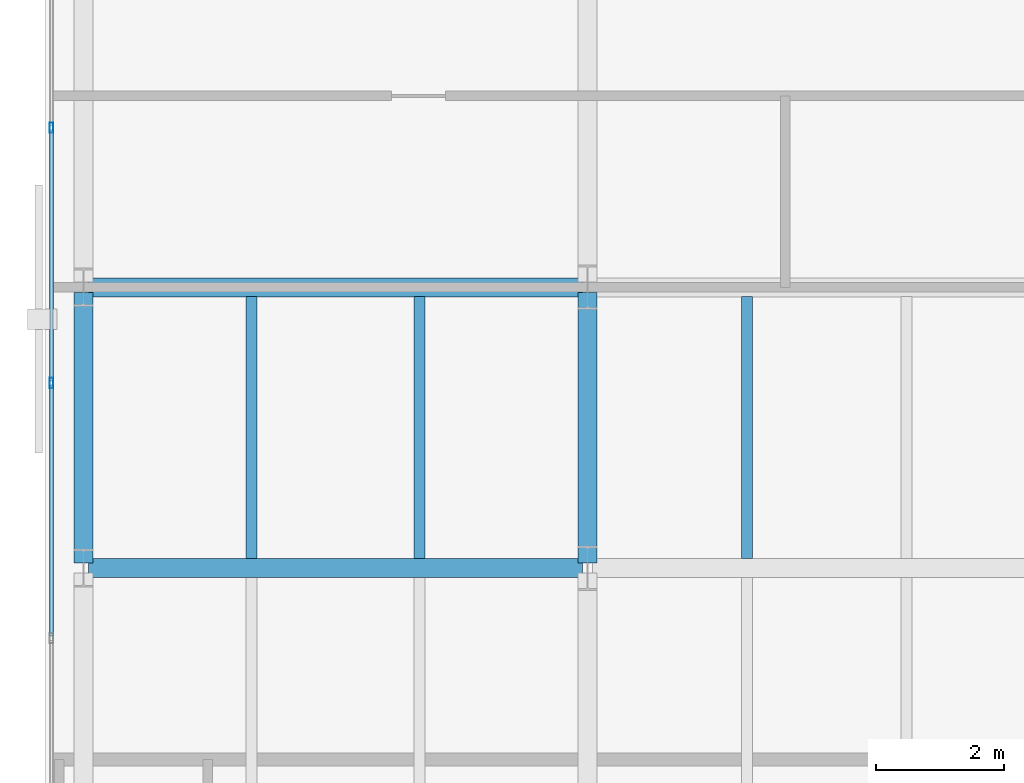
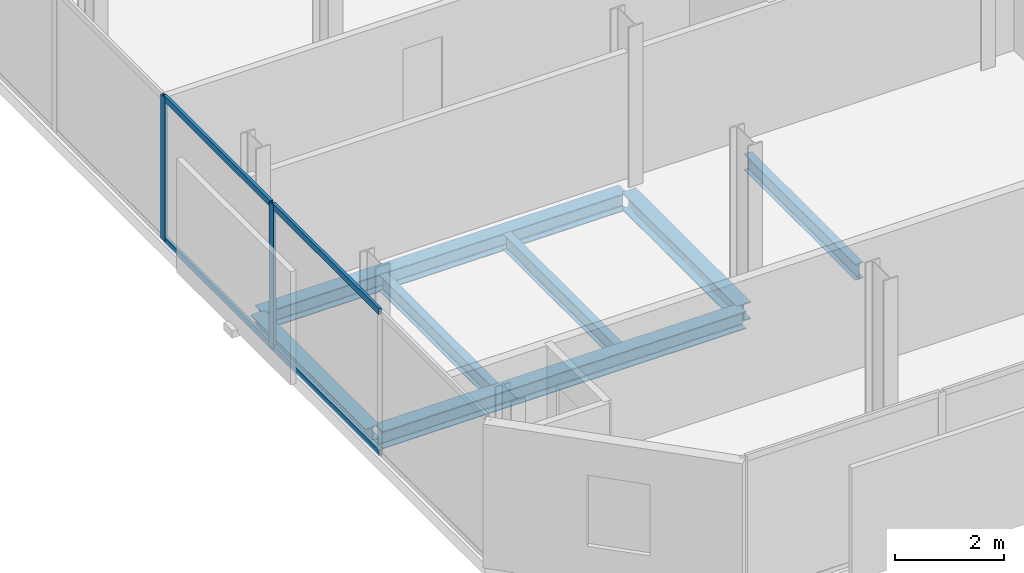
# One storey, part 5 of 32: 7 beams, 6 members, 1 element without a shape of its own.
"""IFC4 building model written with IfcOpenShell, lengths in metres."""

from ifc_helpers import new_model, si_unit, direction, frame, origin, origin_2d, place, context, subcontext, project, spatial, hollow_rectangle, i_section, extrude, material, layer, layer_set, material_profile, profile_set, type_object, element, aggregate, save


model = new_model("IFC4")

# Units and contexts
model_context = context("Model", 3, precision=1e-05, world=origin(), true_north=direction((0.0, 1.0)))
body_context = subcontext(model_context, "Body", "Model", "MODEL_VIEW")
ifc_project = project(units=[si_unit("LENGTHUNIT", "METRE"), si_unit("AREAUNIT", "SQUARE_METRE"), si_unit("VOLUMEUNIT", "CUBIC_METRE"), si_unit("PLANEANGLEUNIT", "RADIAN"), si_unit("MASSUNIT", "GRAM", prefix="KILO")], contexts=[model_context])

# Site, building, storey
site_placement = place(None, origin())
site = spatial("IfcSite", under=ifc_project, at=site_placement, CompositionType="ELEMENT")
building_placement = place(site_placement, origin())
building = spatial("IfcBuilding", under=site, at=building_placement, Name="Catumbela Crestline Tower", CompositionType="ELEMENT")
storey_placement = place(building_placement, frame((0.0, 0.0, 140.4)))
storey = spatial("IfcBuildingStorey", under=building, at=storey_placement, Name="L36", CompositionType="ELEMENT", Elevation=140.4)

# Beams
ifc_material_1 = material(Name="Structural steel S355J2", Category="steel")
ifc_material_profile_1 = material_profile(ifc_material_1, i_section(OverallWidth=0.3, OverallDepth=0.39, WebThickness=0.011, FlangeThickness=0.019, FilletRadius=0.027, at=origin_2d()), Name="HEA 400")
ifc_profile_set_1 = profile_set([ifc_material_profile_1], Name="Structural steel S355J2")
beam_type_1 = type_object("IfcBeamType", Name="BG-HEA400", PredefinedType="BEAM", material=ifc_profile_set_1)
for number, where, z_axis, x_axis, name in (
    (1, (0.68, 13.6, -0.455), (1.0, 0.0, 0.0), (0.0, 1.0, 0.0), "L36 Beam BM-L36-WEW46"),
    (2, (0.68, 18.0, -0.455), (1.0, 0.0, 0.0), (0.0, 1.0, 0.0), "L36 Beam BM-L36-WEW49"),
):
    element("IfcBeam", number, at=place(storey_placement, frame(where, z_axis=z_axis, x_axis=x_axis)), inside=storey, type_object=beam_type_1, Name=name, PredefinedType="BEAM", context=body_context, shape_type="SweptSolid", body=[
        extrude(i_section(OverallWidth=0.3, OverallDepth=0.39, WebThickness=0.011, FlangeThickness=0.019, FilletRadius=0.027, at=origin_2d()), origin(), (0.0, 0.0, 1.0), 7.74),
    ])
beam_1_placement = place(storey_placement, frame((8.5, 13.68, -0.455), z_axis=(0.0, 1.0, 0.0), x_axis=(-1.0, 0.0, 0.0)))
element("IfcBeam", 3, at=beam_1_placement, inside=storey, type_object=beam_type_1, Name="L36 Beam BM-L36-WNS56", PredefinedType="BEAM", context=body_context, shape_type="SweptSolid", body=[
    extrude(i_section(OverallWidth=0.3, OverallDepth=0.39, WebThickness=0.011, FlangeThickness=0.019, FilletRadius=0.027, at=origin_2d()), origin(), (0.0, 0.0, 1.0), 4.24),
])
ifc_material_profile_2 = material_profile(ifc_material_1, i_section(OverallWidth=0.17, OverallDepth=0.36, WebThickness=0.008, FlangeThickness=0.0127, FilletRadius=0.018, at=origin_2d()), Name="IPE 360")
ifc_profile_set_2 = profile_set([ifc_material_profile_2], Name="Structural steel S355J2")
beam_type_2 = type_object("IfcBeamType", Name="BJ-IPE360", PredefinedType="JOIST", material=ifc_profile_set_2)
for number, where, z_axis, x_axis, name in (
    (4, (3.233, 13.747, -0.44), (0.0, 1.0, 0.0), (-1.0, 0.0, 0.0), "L36 Joist JS-L36-WG69"),
    (5, (5.867, 13.747, -0.44), (0.0, 1.0, 0.0), (-1.0, 0.0, 0.0), "L36 Joist JS-L36-WG70"),
    (6, (11.0, 13.747, -0.44), (0.0, 1.0, 0.0), (-1.0, 0.0, 0.0), "L36 Joist JS-L36-WG71"),
):
    element("IfcBeam", number, at=place(storey_placement, frame(where, z_axis=z_axis, x_axis=x_axis)), inside=storey, type_object=beam_type_2, Name=name, PredefinedType="JOIST", context=body_context, shape_type="SweptSolid", body=[
        extrude(i_section(OverallWidth=0.17, OverallDepth=0.36, WebThickness=0.008, FlangeThickness=0.0127, FilletRadius=0.018, at=origin_2d()), origin(), (0.0, 0.0, 1.0), 4.106),
    ])

# Curtain wall, members
ifc_material_2 = material(Name="Aluminium alloy AW-6060-T66", Category="aluminium")
ifc_layer = layer(ifc_material_2, 0.18, Name="Aluminium alloy AW-6060-T66")
ifc_layer_set = layer_set([ifc_layer], Name="Aluminium alloy AW-6060-T66")
curtain_wall_type = type_object("IfcCurtainWallType", Name="CWU-Z2", PredefinedType="USERDEFINED", material=ifc_layer_set)
curtain_wall_placement = place(storey_placement, origin())
curtain_wall = element("IfcCurtainWall", 7, at=curtain_wall_placement, inside=storey, type_object=curtain_wall_type, Name="L36 Unitised Curtain Wall CW-L36-E9S1", ObjectType="UNITISED", PredefinedType="USERDEFINED")
ifc_material_profile_3 = material_profile(ifc_material_2, hollow_rectangle(XDim=0.06, YDim=0.16, WallThickness=0.004, at=origin_2d()), Name="ALU 160x60x4")
ifc_profile_set_3 = profile_set([ifc_material_profile_3], Name="Aluminium alloy AW-6060-T66")
member_type_1 = type_object("IfcMemberType", Name="MUL-160X60", PredefinedType="MULLION", material=ifc_profile_set_3)
member_1_placement = place(storey_placement, frame((0.1, 20.5, 0.0), z_axis=(0.0, 0.0, 1.0), x_axis=(1.0, 0.0, 0.0)))
member_1 = element("IfcMember", 8, at=member_1_placement, type_object=member_type_1, Name="CWU-Z2 mullion 7", PredefinedType="MULLION", context=body_context, shape_type="SweptSolid", body=[
    extrude(hollow_rectangle(XDim=0.06, YDim=0.16, WallThickness=0.004, at=origin_2d()), origin(), (0.0, 0.0, 1.0), 3.24),
])
member_2_placement = place(storey_placement, frame((0.1, 16.5, 0.0), z_axis=(0.0, 0.0, 1.0), x_axis=(1.0, 0.0, 0.0)))
member_2 = element("IfcMember", 9, at=member_2_placement, type_object=member_type_1, Name="CWU-Z2 mullion 8", PredefinedType="MULLION", context=body_context, shape_type="SweptSolid", body=[
    extrude(hollow_rectangle(XDim=0.06, YDim=0.16, WallThickness=0.004, at=origin_2d()), origin(), (0.0, 0.0, 1.0), 3.24),
])

# Beam
ifc_material_profile_4 = material_profile(ifc_material_1, i_section(OverallWidth=0.3, OverallDepth=0.31, WebThickness=0.009, FlangeThickness=0.0155, FilletRadius=0.027, at=origin_2d()), Name="HEA 320")
ifc_profile_set_4 = profile_set([ifc_material_profile_4], Name="Structural steel S355J2")
beam_type_3 = type_object("IfcBeamType", Name="BS-HEA320", PredefinedType="SPANDREL", material=ifc_profile_set_4)
beam_2_placement = place(storey_placement, frame((0.6, 13.68, -0.415), z_axis=(0.0, 1.0, 0.0), x_axis=(-1.0, 0.0, 0.0)))
element("IfcBeam", 10, at=beam_2_placement, inside=storey, type_object=beam_type_3, Name="L36 Spandrel SP-L36-WNS53", PredefinedType="SPANDREL", context=body_context, shape_type="SweptSolid", body=[
    extrude(i_section(OverallWidth=0.3, OverallDepth=0.31, WebThickness=0.009, FlangeThickness=0.0155, FilletRadius=0.027, at=origin_2d()), origin(), (0.0, 0.0, 1.0), 4.24),
])

# Member
ifc_material_profile_5 = material_profile(ifc_material_2, hollow_rectangle(XDim=0.06, YDim=0.14, WallThickness=0.004, at=origin_2d()), Name="ALU 140x60x4")
ifc_profile_set_5 = profile_set([ifc_material_profile_5], Name="Aluminium alloy AW-6060-T66")
member_type_2 = type_object("IfcMemberType", Name="TRN-140X60", PredefinedType="USERDEFINED", material=ifc_profile_set_5)
member_3_placement = place(storey_placement, frame((0.1, 20.4675, 0.03), z_axis=(0.0, -1.0, 0.0), x_axis=(1.0, 0.0, 0.0)))
member_3 = element("IfcMember", 11, at=member_3_placement, type_object=member_type_2, Name="CWU-Z2 transom 7.1", ObjectType="TRANSOM", PredefinedType="USERDEFINED", context=body_context, shape_type="SweptSolid", body=[
    extrude(hollow_rectangle(XDim=0.06, YDim=0.14, WallThickness=0.004, at=origin_2d()), origin(), (0.0, 0.0, 1.0), 3.935),
])

member_4_placement = place(storey_placement, frame((0.1, 20.4675, 3.21), z_axis=(0.0, -1.0, 0.0), x_axis=(1.0, 0.0, 0.0)))
member_4 = element("IfcMember", 12, at=member_4_placement, type_object=member_type_2, Name="CWU-Z2 transom 7.2", ObjectType="TRANSOM", PredefinedType="USERDEFINED", context=body_context, shape_type="SweptSolid", body=[
    extrude(hollow_rectangle(XDim=0.06, YDim=0.14, WallThickness=0.004, at=origin_2d()), origin(), (0.0, 0.0, 1.0), 3.935),
])

member_5_placement = place(storey_placement, frame((0.1, 16.4675, 0.03), z_axis=(0.0, -1.0, 0.0), x_axis=(1.0, 0.0, 0.0)))
member_5 = element("IfcMember", 13, at=member_5_placement, type_object=member_type_2, Name="CWU-Z2 transom 8.1", ObjectType="TRANSOM", PredefinedType="USERDEFINED", context=body_context, shape_type="SweptSolid", body=[
    extrude(hollow_rectangle(XDim=0.06, YDim=0.14, WallThickness=0.004, at=origin_2d()), origin(), (0.0, 0.0, 1.0), 3.935),
])

member_6_placement = place(storey_placement, frame((0.1, 16.4675, 3.21), z_axis=(0.0, -1.0, 0.0), x_axis=(1.0, 0.0, 0.0)))
member_6 = element("IfcMember", 14, at=member_6_placement, type_object=member_type_2, Name="CWU-Z2 transom 8.2", ObjectType="TRANSOM", PredefinedType="USERDEFINED", context=body_context, shape_type="SweptSolid", body=[
    extrude(hollow_rectangle(XDim=0.06, YDim=0.14, WallThickness=0.004, at=origin_2d()), origin(), (0.0, 0.0, 1.0), 3.935),
])

aggregate(curtain_wall, [member_1, member_2, member_3, member_4, member_5, member_6])

save(model, "model.ifc")
